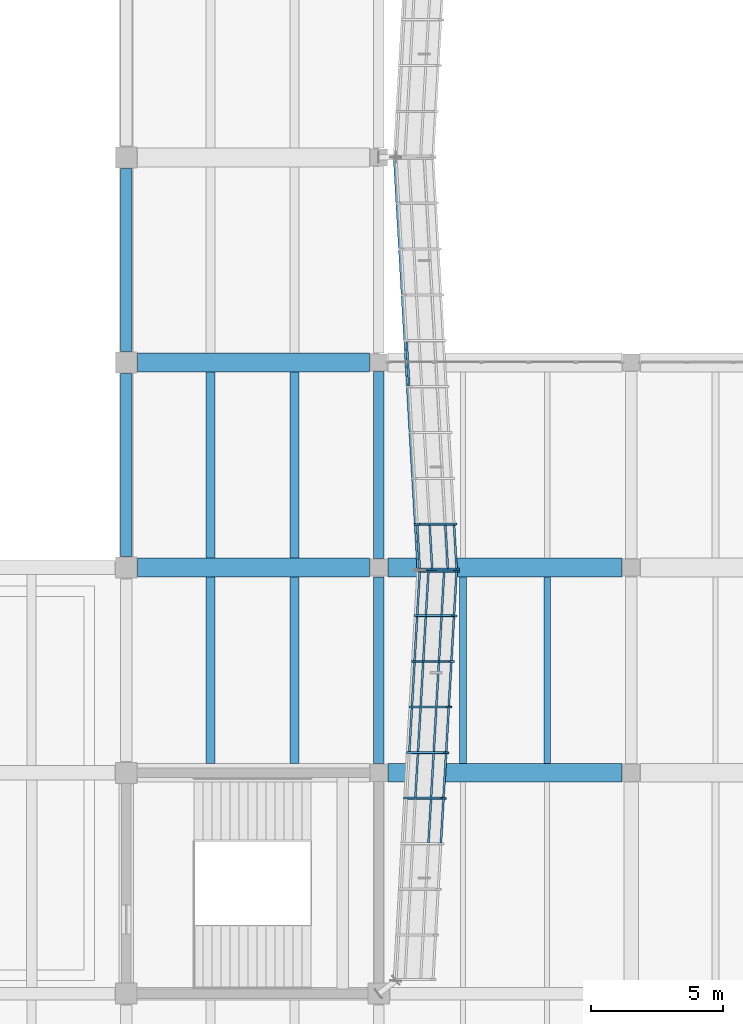
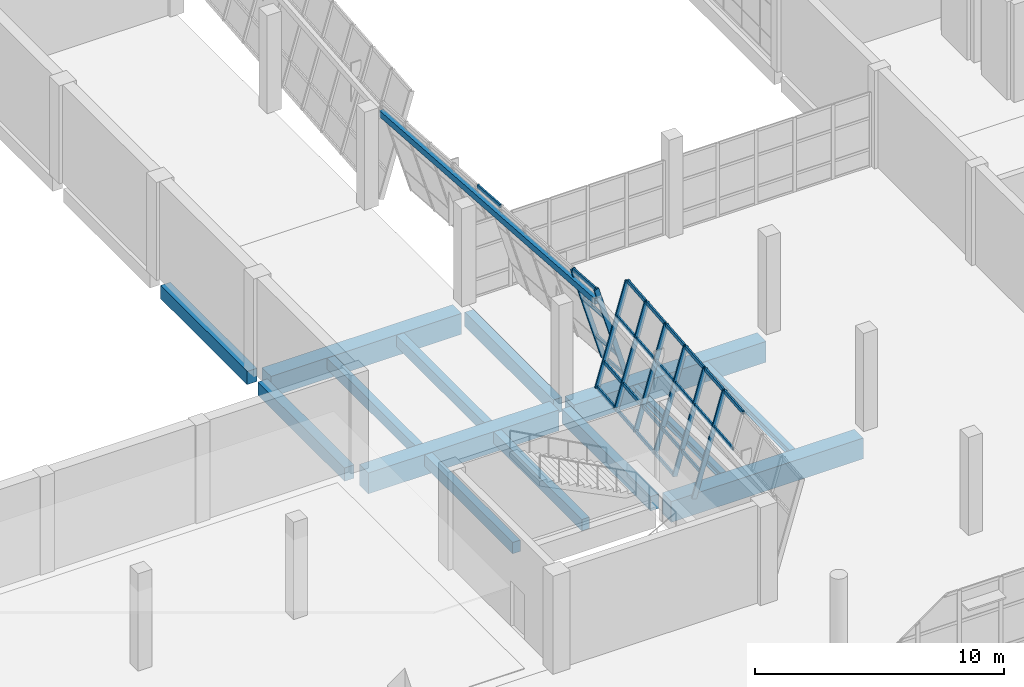
# One storey, part 21 of 79: 34 members, 15 beams, 2 elements without a shape of their own.
"""IFC4 building model written with IfcOpenShell, lengths in metres."""

from ifc_helpers import new_model, si_unit, direction, frame, origin, origin_2d, place, context, subcontext, project, spatial, rectangle, hollow_rectangle, i_section, extrude, material, material_profile, profile_set, type_object, element, aggregate, save


model = new_model("IFC4")

# Units and contexts
model_context = context("Model", 3, precision=1e-05, world=origin(), true_north=direction((0.0, 1.0)))
body_context = subcontext(model_context, "Body", "Model", "MODEL_VIEW")
ifc_project = project(units=[si_unit("LENGTHUNIT", "METRE"), si_unit("AREAUNIT", "SQUARE_METRE"), si_unit("VOLUMEUNIT", "CUBIC_METRE"), si_unit("PLANEANGLEUNIT", "RADIAN"), si_unit("MASSUNIT", "GRAM", prefix="KILO")], contexts=[model_context])

# Site, building, storey
site_placement = place(None, origin())
site = spatial("IfcSite", under=ifc_project, at=site_placement, CompositionType="ELEMENT")
building_placement = place(site_placement, origin())
building = spatial("IfcBuilding", under=site, at=building_placement, Name="Pellamere Symphony Hall", CompositionType="ELEMENT")
storey_placement = place(building_placement, frame((0.0, 0.0, 10.199951171875)))
storey = spatial("IfcBuildingStorey", under=building, at=storey_placement, Name="L02", CompositionType="ELEMENT", Elevation=10.199951171875)

# Curtain wall, members
ifc_material_1 = material(Name="Thermally Broken Anodised Aluminium 6063-T6 Curtain Wall", Category="aluminium")
curtain_wall_type = type_object("IfcCurtainWallType", Name="Curtain Wall CW-01 (Tilted Faceted Crystal Low-Iron Curtain Wall)", PredefinedType="NOTDEFINED", material=ifc_material_1)
curtain_wall_1_placement = place(storey_placement, origin())
curtain_wall_1 = element("IfcCurtainWall", 1, at=curtain_wall_1_placement, inside=storey, type_object=curtain_wall_type, Name="Crystal Faceted Curtain Wall CW-CR06 (L02)", PredefinedType="NOTDEFINED")
ifc_material_2 = material(Name="Anodised Architectural Aluminium 6063-T6", Category="aluminium")
ifc_material_profile_1 = material_profile(ifc_material_2, hollow_rectangle(XDim=0.074951171875, YDim=0.219970703125, WallThickness=0.0048828125, at=origin_2d()), Name="ALU-M75X220X5")
ifc_profile_set_1 = profile_set([ifc_material_profile_1], Name="Anodised Architectural Aluminium 6063-T6")
member_type_1 = type_object("IfcMemberType", Name="Curtain Wall Mullion ML-01 ALU-M75X220X5", PredefinedType="MULLION", material=ifc_profile_set_1)
member_1_placement = place(storey_placement, frame((119.85009765625, 37.433349609375, 0.0), z_axis=(0.283977077304, 0.0, 0.958831069358), x_axis=(-0.055225347331, -0.998339941676, 0.016356095697)))
member_1 = element("IfcMember", 2, at=member_1_placement, type_object=member_type_1, Name="CW1-006 crystal mullion 5", PredefinedType="MULLION", context=body_context, shape_type="SweptSolid", body=[
    extrude(hollow_rectangle(XDim=0.074951171875, YDim=0.219970703125, WallThickness=0.0048828125, at=origin_2d()), origin(), (0.0, 0.0, 1.0), 5.006103515625),
])
member_2_placement = place(storey_placement, frame((119.949951171875, 39.166748046875, 0.0), z_axis=(0.284021911736, 0.0, 0.9588177896), x_axis=(-0.055224582463, -0.998339941676, 0.016358678005)))
member_2 = element("IfcMember", 3, at=member_2_placement, type_object=member_type_1, Name="CW1-006 crystal mullion 6", PredefinedType="MULLION", context=body_context, shape_type="SweptSolid", body=[
    extrude(hollow_rectangle(XDim=0.074951171875, YDim=0.219970703125, WallThickness=0.0048828125, at=origin_2d()), origin(), (0.0, 0.0, 1.0), 5.006103515625),
])
member_3_placement = place(storey_placement, frame((120.050048828125, 40.89990234375, 0.0), z_axis=(0.283977077304, 0.0, 0.958831069358), x_axis=(-0.055225347331, -0.998339941676, 0.016356095697)))
member_3 = element("IfcMember", 4, at=member_3_placement, type_object=member_type_1, Name="CW1-006 crystal mullion 7", PredefinedType="MULLION", context=body_context, shape_type="SweptSolid", body=[
    extrude(hollow_rectangle(XDim=0.074951171875, YDim=0.219970703125, WallThickness=0.0048828125, at=origin_2d()), origin(), (0.0, 0.0, 1.0), 5.006103515625),
])
member_4_placement = place(storey_placement, frame((120.14990234375, 42.63330078125, 0.0), z_axis=(0.284021911736, 0.0, 0.9588177896), x_axis=(-0.055224582463, -0.998339941676, 0.016358678005)))
member_4 = element("IfcMember", 5, at=member_4_placement, type_object=member_type_1, Name="CW1-006 crystal mullion 8", PredefinedType="MULLION", context=body_context, shape_type="SweptSolid", body=[
    extrude(hollow_rectangle(XDim=0.074951171875, YDim=0.219970703125, WallThickness=0.0048828125, at=origin_2d()), origin(), (0.0, 0.0, 1.0), 5.006103515625),
])
member_5_placement = place(storey_placement, frame((120.25, 44.36669921875, 0.0), z_axis=(0.284021911736, 0.0, 0.9588177896), x_axis=(-0.055224582463, -0.998339941676, 0.016358678005)))
member_5 = element("IfcMember", 6, at=member_5_placement, type_object=member_type_1, Name="CW1-006 crystal mullion 9", PredefinedType="MULLION", context=body_context, shape_type="SweptSolid", body=[
    extrude(hollow_rectangle(XDim=0.074951171875, YDim=0.219970703125, WallThickness=0.0048828125, at=origin_2d()), origin(), (0.0, 0.0, 1.0), 5.006103515625),
])
member_6_placement = place(storey_placement, frame((120.347900390625, 46.0625, 0.0), z_axis=(0.283977077304, 0.0, 0.958831069358), x_axis=(-0.055225347331, -0.998339941676, 0.016356095697)))
member_6 = element("IfcMember", 7, at=member_6_placement, type_object=member_type_1, Name="CW1-006 crystal mullion 10", PredefinedType="MULLION", context=body_context, shape_type="SweptSolid", body=[
    extrude(hollow_rectangle(XDim=0.074951171875, YDim=0.219970703125, WallThickness=0.0048828125, at=origin_2d()), origin(), (0.0, 0.0, 1.0), 5.006103515625),
])

curtain_wall_2_placement = place(storey_placement, origin())
curtain_wall_2 = element("IfcCurtainWall", 8, at=curtain_wall_2_placement, inside=storey, type_object=curtain_wall_type, Name="Crystal Faceted Curtain Wall CW-CR07 (L02)", PredefinedType="NOTDEFINED")
member_7_placement = place(storey_placement, frame((121.769775390625, 46.137451171875, 0.0), z_axis=(-0.284021911736, 0.0, 0.9588177896), x_axis=(-0.054873989333, 0.99836096977, -0.016254824977)))
member_7 = element("IfcMember", 9, at=member_7_placement, type_object=member_type_1, Name="CW1-009 crystal mullion 1", PredefinedType="MULLION", context=body_context, shape_type="SweptSolid", body=[
    extrude(hollow_rectangle(XDim=0.074951171875, YDim=0.219970703125, WallThickness=0.0048828125, at=origin_2d()), origin(), (0.0, 0.0, 1.0), 5.006103515625),
])
member_8_placement = place(storey_placement, frame((121.671875, 47.844482421875, 0.0), z_axis=(-0.284021911736, 0.0, 0.9588177896), x_axis=(-0.054873989333, 0.99836096977, -0.016254824977)))
member_8 = element("IfcMember", 10, at=member_8_placement, type_object=member_type_1, Name="CW1-009 crystal mullion 2", PredefinedType="MULLION", context=body_context, shape_type="SweptSolid", body=[
    extrude(hollow_rectangle(XDim=0.074951171875, YDim=0.219970703125, WallThickness=0.0048828125, at=origin_2d()), origin(), (0.0, 0.0, 1.0), 5.006103515625),
])

# Member
ifc_material_profile_2 = material_profile(ifc_material_2, hollow_rectangle(XDim=0.074951171875, YDim=0.179931640625, WallThickness=0.0048828125, at=origin_2d()), Name="ALU-T75X180X5")
ifc_profile_set_2 = profile_set([ifc_material_profile_2], Name="Anodised Architectural Aluminium 6063-T6")
member_type_2 = type_object("IfcMemberType", Name="Curtain Wall Transom TR-01 ALU-T75X180X5", PredefinedType="USERDEFINED", material=ifc_profile_set_2)
member_9_placement = place(storey_placement, frame((120.6904296875, 35.737548828125, 3.16796875), z_axis=(0.057610619545, 0.998339129012, 0.0), x_axis=(-0.998339129012, 0.057610619545, 0.0)))
member_9 = element("IfcMember", 11, at=member_9_placement, type_object=member_type_2, Name="CW1-006 crystal transom 4.3", ObjectType="TRANSOM", PredefinedType="USERDEFINED", context=body_context, shape_type="SweptSolid", body=[
    extrude(hollow_rectangle(XDim=0.074951171875, YDim=0.179931640625, WallThickness=0.0048828125, at=origin_2d()), origin(), (0.0, 0.0, 1.0), 1.6611328125),
])

member_10_placement = place(storey_placement, frame((121.163330078125, 35.737548828125, 4.76416015625), z_axis=(0.057610619545, 0.998339129012, 0.0), x_axis=(-0.998339129012, 0.057610619545, 0.0)))
member_10 = element("IfcMember", 12, at=member_10_placement, type_object=member_type_2, Name="CW1-006 crystal transom 4.4", ObjectType="TRANSOM", PredefinedType="USERDEFINED", context=body_context, shape_type="SweptSolid", body=[
    extrude(hollow_rectangle(XDim=0.074951171875, YDim=0.179931640625, WallThickness=0.0048828125, at=origin_2d()), origin(), (0.0, 0.0, 1.0), 1.6611328125),
])

member_11_placement = place(storey_placement, frame((120.193359375, 37.470703125, 1.152099609375), z_axis=(0.057610619545, 0.998339129012, 0.0), x_axis=(-0.998339129012, 0.057610619545, 0.0)))
member_11 = element("IfcMember", 13, at=member_11_placement, type_object=member_type_2, Name="CW1-006 crystal transom 5.2", ObjectType="TRANSOM", PredefinedType="USERDEFINED", context=body_context, shape_type="SweptSolid", body=[
    extrude(hollow_rectangle(XDim=0.074951171875, YDim=0.179931640625, WallThickness=0.0048828125, at=origin_2d()), origin(), (0.0, 0.0, 1.0), 1.6611328125),
])

member_12_placement = place(storey_placement, frame((120.79052734375, 37.470703125, 3.16796875), z_axis=(0.057610619545, 0.998339129012, 0.0), x_axis=(-0.998339129012, 0.057610619545, 0.0)))
member_12 = element("IfcMember", 14, at=member_12_placement, type_object=member_type_2, Name="CW1-006 crystal transom 5.3", ObjectType="TRANSOM", PredefinedType="USERDEFINED", context=body_context, shape_type="SweptSolid", body=[
    extrude(hollow_rectangle(XDim=0.074951171875, YDim=0.179931640625, WallThickness=0.0048828125, at=origin_2d()), origin(), (0.0, 0.0, 1.0), 1.6611328125),
])

member_13_placement = place(storey_placement, frame((121.263427734375, 37.470703125, 4.76416015625), z_axis=(0.057464139598, 0.998347571069, 0.0), x_axis=(-0.998347571069, 0.057464139598, 0.0)))
member_13 = element("IfcMember", 15, at=member_13_placement, type_object=member_type_2, Name="CW1-006 crystal transom 5.4", ObjectType="TRANSOM", PredefinedType="USERDEFINED", context=body_context, shape_type="SweptSolid", body=[
    extrude(hollow_rectangle(XDim=0.074951171875, YDim=0.179931640625, WallThickness=0.0048828125, at=origin_2d()), origin(), (0.0, 0.0, 1.0), 1.6611328125),
])

member_14_placement = place(storey_placement, frame((119.962890625, 39.2041015625, 0.035888671875), z_axis=(0.057610619545, 0.998339129012, 0.0), x_axis=(-0.998339129012, 0.057610619545, 0.0)))
member_14 = element("IfcMember", 16, at=member_14_placement, type_object=member_type_2, Name="CW1-006 crystal transom 6.1", ObjectType="TRANSOM", PredefinedType="USERDEFINED", context=body_context, shape_type="SweptSolid", body=[
    extrude(hollow_rectangle(XDim=0.074951171875, YDim=0.179931640625, WallThickness=0.0048828125, at=origin_2d()), origin(), (0.0, 0.0, 1.0), 1.6611328125),
])

member_15_placement = place(storey_placement, frame((120.29345703125, 39.2041015625, 1.152099609375), z_axis=(0.057610619545, 0.998339129012, 0.0), x_axis=(-0.998339129012, 0.057610619545, 0.0)))
member_15 = element("IfcMember", 17, at=member_15_placement, type_object=member_type_2, Name="CW1-006 crystal transom 6.2", ObjectType="TRANSOM", PredefinedType="USERDEFINED", context=body_context, shape_type="SweptSolid", body=[
    extrude(hollow_rectangle(XDim=0.074951171875, YDim=0.179931640625, WallThickness=0.0048828125, at=origin_2d()), origin(), (0.0, 0.0, 1.0), 1.6611328125),
])

member_16_placement = place(storey_placement, frame((120.890625, 39.2041015625, 3.16796875), z_axis=(0.057610619545, 0.998339129012, 0.0), x_axis=(-0.998339129012, 0.057610619545, 0.0)))
member_16 = element("IfcMember", 18, at=member_16_placement, type_object=member_type_2, Name="CW1-006 crystal transom 6.3", ObjectType="TRANSOM", PredefinedType="USERDEFINED", context=body_context, shape_type="SweptSolid", body=[
    extrude(hollow_rectangle(XDim=0.074951171875, YDim=0.179931640625, WallThickness=0.0048828125, at=origin_2d()), origin(), (0.0, 0.0, 1.0), 1.6611328125),
])

member_17_placement = place(storey_placement, frame((121.36328125, 39.2041015625, 4.76416015625), z_axis=(0.057610619545, 0.998339129012, 0.0), x_axis=(-0.998339129012, 0.057610619545, 0.0)))
member_17 = element("IfcMember", 19, at=member_17_placement, type_object=member_type_2, Name="CW1-006 crystal transom 6.4", ObjectType="TRANSOM", PredefinedType="USERDEFINED", context=body_context, shape_type="SweptSolid", body=[
    extrude(hollow_rectangle(XDim=0.074951171875, YDim=0.179931640625, WallThickness=0.0048828125, at=origin_2d()), origin(), (0.0, 0.0, 1.0), 1.6611328125),
])

member_18_placement = place(storey_placement, frame((120.062744140625, 40.9375, 0.035888671875), z_axis=(0.057610619545, 0.998339129012, 0.0), x_axis=(-0.998339129012, 0.057610619545, 0.0)))
member_18 = element("IfcMember", 20, at=member_18_placement, type_object=member_type_2, Name="CW1-006 crystal transom 7.1", ObjectType="TRANSOM", PredefinedType="USERDEFINED", context=body_context, shape_type="SweptSolid", body=[
    extrude(hollow_rectangle(XDim=0.074951171875, YDim=0.179931640625, WallThickness=0.0048828125, at=origin_2d()), origin(), (0.0, 0.0, 1.0), 1.6611328125),
])

member_19_placement = place(storey_placement, frame((120.393310546875, 40.9375, 1.152099609375), z_axis=(0.057610619545, 0.998339129012, 0.0), x_axis=(-0.998339129012, 0.057610619545, 0.0)))
member_19 = element("IfcMember", 21, at=member_19_placement, type_object=member_type_2, Name="CW1-006 crystal transom 7.2", ObjectType="TRANSOM", PredefinedType="USERDEFINED", context=body_context, shape_type="SweptSolid", body=[
    extrude(hollow_rectangle(XDim=0.074951171875, YDim=0.179931640625, WallThickness=0.0048828125, at=origin_2d()), origin(), (0.0, 0.0, 1.0), 1.6611328125),
])

member_20_placement = place(storey_placement, frame((120.990478515625, 40.9375, 3.16796875), z_axis=(0.057610619545, 0.998339129012, 0.0), x_axis=(-0.998339129012, 0.057610619545, 0.0)))
member_20 = element("IfcMember", 22, at=member_20_placement, type_object=member_type_2, Name="CW1-006 crystal transom 7.3", ObjectType="TRANSOM", PredefinedType="USERDEFINED", context=body_context, shape_type="SweptSolid", body=[
    extrude(hollow_rectangle(XDim=0.074951171875, YDim=0.179931640625, WallThickness=0.0048828125, at=origin_2d()), origin(), (0.0, 0.0, 1.0), 1.6611328125),
])

member_21_placement = place(storey_placement, frame((121.46337890625, 40.9375, 4.76416015625), z_axis=(0.057610619545, 0.998339129012, 0.0), x_axis=(-0.998339129012, 0.057610619545, 0.0)))
member_21 = element("IfcMember", 23, at=member_21_placement, type_object=member_type_2, Name="CW1-006 crystal transom 7.4", ObjectType="TRANSOM", PredefinedType="USERDEFINED", context=body_context, shape_type="SweptSolid", body=[
    extrude(hollow_rectangle(XDim=0.074951171875, YDim=0.179931640625, WallThickness=0.0048828125, at=origin_2d()), origin(), (0.0, 0.0, 1.0), 1.6611328125),
])

member_22_placement = place(storey_placement, frame((120.162841796875, 42.670654296875, 0.035888671875), z_axis=(0.057602168051, 0.998339616682, 0.0), x_axis=(-0.998339616682, 0.057602168051, 0.0)))
member_22 = element("IfcMember", 24, at=member_22_placement, type_object=member_type_2, Name="CW1-006 crystal transom 8.1", ObjectType="TRANSOM", PredefinedType="USERDEFINED", context=body_context, shape_type="SweptSolid", body=[
    extrude(hollow_rectangle(XDim=0.074951171875, YDim=0.179931640625, WallThickness=0.0048828125, at=origin_2d()), origin(), (0.0, 0.0, 1.0), 1.661376953125),
])

member_23_placement = place(storey_placement, frame((120.493408203125, 42.670654296875, 1.152099609375), z_axis=(0.057602168051, 0.998339616682, 0.0), x_axis=(-0.998339616682, 0.057602168051, 0.0)))
member_23 = element("IfcMember", 25, at=member_23_placement, type_object=member_type_2, Name="CW1-006 crystal transom 8.2", ObjectType="TRANSOM", PredefinedType="USERDEFINED", context=body_context, shape_type="SweptSolid", body=[
    extrude(hollow_rectangle(XDim=0.074951171875, YDim=0.179931640625, WallThickness=0.0048828125, at=origin_2d()), origin(), (0.0, 0.0, 1.0), 1.661376953125),
])

member_24_placement = place(storey_placement, frame((121.090576171875, 42.670654296875, 3.16796875), z_axis=(0.057602168051, 0.998339616682, 0.0), x_axis=(-0.998339616682, 0.057602168051, 0.0)))
member_24 = element("IfcMember", 26, at=member_24_placement, type_object=member_type_2, Name="CW1-006 crystal transom 8.3", ObjectType="TRANSOM", PredefinedType="USERDEFINED", context=body_context, shape_type="SweptSolid", body=[
    extrude(hollow_rectangle(XDim=0.074951171875, YDim=0.179931640625, WallThickness=0.0048828125, at=origin_2d()), origin(), (0.0, 0.0, 1.0), 1.661376953125),
])

member_25_placement = place(storey_placement, frame((121.563232421875, 42.670654296875, 4.76416015625), z_axis=(0.057602168051, 0.998339616682, 0.0), x_axis=(-0.998339616682, 0.057602168051, 0.0)))
member_25 = element("IfcMember", 27, at=member_25_placement, type_object=member_type_2, Name="CW1-006 crystal transom 8.4", ObjectType="TRANSOM", PredefinedType="USERDEFINED", context=body_context, shape_type="SweptSolid", body=[
    extrude(hollow_rectangle(XDim=0.074951171875, YDim=0.179931640625, WallThickness=0.0048828125, at=origin_2d()), origin(), (0.0, 0.0, 1.0), 1.661376953125),
])

member_26_placement = place(storey_placement, frame((120.2626953125, 44.404052734375, 0.035888671875), z_axis=(0.057734859862, 0.998331951786, 0.0), x_axis=(-0.998331951786, 0.057734859862, 0.0)))
member_26 = element("IfcMember", 28, at=member_26_placement, type_object=member_type_2, Name="CW1-006 crystal transom 9.1", ObjectType="TRANSOM", PredefinedType="USERDEFINED", context=body_context, shape_type="SweptSolid", body=[
    extrude(hollow_rectangle(XDim=0.074951171875, YDim=0.179931640625, WallThickness=0.0048828125, at=origin_2d()), origin(), (0.0, 0.0, 1.0), 1.623779296875),
])

member_27_placement = place(storey_placement, frame((120.593505859375, 44.404052734375, 1.152099609375), z_axis=(0.057585007883, 0.99834060664, 0.0), x_axis=(-0.99834060664, 0.057585007883, 0.0)))
member_27 = element("IfcMember", 29, at=member_27_placement, type_object=member_type_2, Name="CW1-006 crystal transom 9.2", ObjectType="TRANSOM", PredefinedType="USERDEFINED", context=body_context, shape_type="SweptSolid", body=[
    extrude(hollow_rectangle(XDim=0.074951171875, YDim=0.179931640625, WallThickness=0.0048828125, at=origin_2d()), origin(), (0.0, 0.0, 1.0), 1.623779296875),
])

member_28_placement = place(storey_placement, frame((121.1904296875, 44.404052734375, 3.16796875), z_axis=(0.057734859862, 0.998331951786, 0.0), x_axis=(-0.998331951786, 0.057734859862, 0.0)))
member_28 = element("IfcMember", 30, at=member_28_placement, type_object=member_type_2, Name="CW1-006 crystal transom 9.3", ObjectType="TRANSOM", PredefinedType="USERDEFINED", context=body_context, shape_type="SweptSolid", body=[
    extrude(hollow_rectangle(XDim=0.074951171875, YDim=0.179931640625, WallThickness=0.0048828125, at=origin_2d()), origin(), (0.0, 0.0, 1.0), 1.623779296875),
])

member_29_placement = place(storey_placement, frame((121.663330078125, 44.404052734375, 4.76416015625), z_axis=(0.057585007883, 0.99834060664, 0.0), x_axis=(-0.99834060664, 0.057585007883, 0.0)))
member_29 = element("IfcMember", 31, at=member_29_placement, type_object=member_type_2, Name="CW1-006 crystal transom 9.4", ObjectType="TRANSOM", PredefinedType="USERDEFINED", context=body_context, shape_type="SweptSolid", body=[
    extrude(hollow_rectangle(XDim=0.074951171875, YDim=0.179931640625, WallThickness=0.0048828125, at=origin_2d()), origin(), (0.0, 0.0, 1.0), 1.623779296875),
])

aggregate(curtain_wall_1, [member_1, member_2, member_3, member_4, member_5, member_6, member_9, member_10, member_11, member_12, member_13, member_14, member_15, member_16, member_17, member_18, member_19, member_20, member_21, member_22, member_23, member_24, member_25, member_26, member_27, member_28, member_29])

member_30_placement = place(storey_placement, frame((121.7568359375, 46.1748046875, 0.035888671875), z_axis=(-0.057198647566, 0.998362817175, 0.0), x_axis=(-0.998362817175, -0.057198647566, 0.0)))
member_30 = element("IfcMember", 32, at=member_30_placement, type_object=member_type_2, Name="CW1-009 crystal transom 1.1", ObjectType="TRANSOM", PredefinedType="USERDEFINED", context=body_context, shape_type="SweptSolid", body=[
    extrude(hollow_rectangle(XDim=0.074951171875, YDim=0.179931640625, WallThickness=0.0048828125, at=origin_2d()), origin(), (0.0, 0.0, 1.0), 1.634765625),
])

member_31_placement = place(storey_placement, frame((121.42626953125, 46.1748046875, 1.152099609375), z_axis=(-0.057198647566, 0.998362817175, 0.0), x_axis=(-0.998362817175, -0.057198647566, 0.0)))
member_31 = element("IfcMember", 33, at=member_31_placement, type_object=member_type_2, Name="CW1-009 crystal transom 1.2", ObjectType="TRANSOM", PredefinedType="USERDEFINED", context=body_context, shape_type="SweptSolid", body=[
    extrude(hollow_rectangle(XDim=0.074951171875, YDim=0.179931640625, WallThickness=0.0048828125, at=origin_2d()), origin(), (0.0, 0.0, 1.0), 1.634765625),
])

member_32_placement = place(storey_placement, frame((120.8291015625, 46.1748046875, 3.16796875), z_axis=(-0.057198647566, 0.998362817175, 0.0), x_axis=(-0.998362817175, -0.057198647566, 0.0)))
member_32 = element("IfcMember", 34, at=member_32_placement, type_object=member_type_2, Name="CW1-009 crystal transom 1.3", ObjectType="TRANSOM", PredefinedType="USERDEFINED", context=body_context, shape_type="SweptSolid", body=[
    extrude(hollow_rectangle(XDim=0.074951171875, YDim=0.179931640625, WallThickness=0.0048828125, at=origin_2d()), origin(), (0.0, 0.0, 1.0), 1.634765625),
])

member_33_placement = place(storey_placement, frame((120.3564453125, 46.1748046875, 4.76416015625), z_axis=(-0.057347500779, 0.998354277877, 0.0), x_axis=(-0.998354277877, -0.057347500779, 0.0)))
member_33 = element("IfcMember", 35, at=member_33_placement, type_object=member_type_2, Name="CW1-009 crystal transom 1.4", ObjectType="TRANSOM", PredefinedType="USERDEFINED", context=body_context, shape_type="SweptSolid", body=[
    extrude(hollow_rectangle(XDim=0.074951171875, YDim=0.179931640625, WallThickness=0.0048828125, at=origin_2d()), origin(), (0.0, 0.0, 1.0), 1.634765625),
])

member_34_placement = place(storey_placement, frame((119.95849609375, 53.115234375, 4.76416015625), z_axis=(-0.057232737422, 0.998360863499, 0.0), x_axis=(-0.998360863499, -0.057232737422, 0.0)))
member_34 = element("IfcMember", 36, at=member_34_placement, type_object=member_type_2, Name="CW1-009 crystal transom 5.4", ObjectType="TRANSOM", PredefinedType="USERDEFINED", context=body_context, shape_type="SweptSolid", body=[
    extrude(hollow_rectangle(XDim=0.074951171875, YDim=0.179931640625, WallThickness=0.0048828125, at=origin_2d()), origin(), (0.0, 0.0, 1.0), 1.672119140625),
])

aggregate(curtain_wall_2, [member_7, member_8, member_30, member_31, member_32, member_33, member_34])

# Beams
ifc_material_3 = material(Name="Concrete 40 MPa", Category="concrete")
ifc_material_profile_3 = material_profile(ifc_material_3, rectangle(XDim=0.449951171875, YDim=0.64990234375, at=origin_2d()), Name="RC 450x650")
ifc_profile_set_3 = profile_set([ifc_material_profile_3], Name="Concrete 40 MPa")
beam_type_1 = type_object("IfcBeamType", Name="RC CB-08 450x650", PredefinedType="BEAM", material=ifc_profile_set_3)
for number, where, z_axis, x_axis, name in (
    (37, (109.199951171875, 46.625, -0.60498046875), (0.0, 1.0, 0.0), (-1.0, 0.0, 0.0), "Girder CB-08-Y1317 (L02)"),
    (38, (109.199951171875, 54.425048828125, -0.60498046875), (0.0, 1.0, 0.0), (-1.0, 0.0, 0.0), "Girder CB-08-Y1318 (L02)"),
):
    element("IfcBeam", number, at=place(storey_placement, frame(where, z_axis=z_axis, x_axis=x_axis)), inside=storey, type_object=beam_type_1, Name=name, PredefinedType="BEAM", context=body_context, shape_type="SweptSolid", body=[
        extrude(rectangle(XDim=0.449951171875, YDim=0.64990234375, at=origin_2d()), origin(), (0.0, 0.0, 1.0), 6.949951171875),
    ])
ifc_material_4 = material(Name="Concrete 35 MPa", Category="concrete")
ifc_material_profile_4 = material_profile(ifc_material_4, rectangle(XDim=0.35009765625, YDim=0.550048828125, at=origin_2d()), Name="RC 350x550")
ifc_profile_set_4 = profile_set([ifc_material_profile_4], Name="Concrete 35 MPa")
beam_type_2 = type_object("IfcBeamType", Name="RC CB-10 350x550", PredefinedType="BEAM", material=ifc_profile_set_4)
for number, where, z_axis, x_axis, name in (
    (39, (112.39990234375, 38.760009765625, -0.570068359375), (0.0, 1.0, 0.0), (-1.0, 0.0, 0.0), "Secondary Floor Beam CB-10-A1405 (L02)"),
    (40, (115.60009765625, 38.760009765625, -0.570068359375), (0.0, 1.0, 0.0), (-1.0, 0.0, 0.0), "Secondary Floor Beam CB-10-B1405 (L02)"),
):
    element("IfcBeam", number, at=place(storey_placement, frame(where, z_axis=z_axis, x_axis=x_axis)), inside=storey, type_object=beam_type_2, Name=name, PredefinedType="BEAM", context=body_context, shape_type="SweptSolid", body=[
        extrude(rectangle(XDim=0.35009765625, YDim=0.550048828125, at=origin_2d()), origin(), (0.0, 0.0, 1.0), 7.080078125),
    ])
for number, where, z_axis, x_axis, name in (
    (41, (112.39990234375, 46.56005859375, -0.570068359375), (0.0, 1.0, 0.0), (-1.0, 0.0, 0.0), "Secondary Floor Beam CB-10-A1406 (L02)"),
    (42, (115.60009765625, 46.56005859375, -0.570068359375), (0.0, 1.0, 0.0), (-1.0, 0.0, 0.0), "Secondary Floor Beam CB-10-B1406 (L02)"),
):
    element("IfcBeam", number, at=place(storey_placement, frame(where, z_axis=z_axis, x_axis=x_axis)), inside=storey, type_object=beam_type_2, Name=name, PredefinedType="BEAM", context=body_context, shape_type="SweptSolid", body=[
        extrude(rectangle(XDim=0.35009765625, YDim=0.550048828125, at=origin_2d()), origin(), (0.0, 0.0, 1.0), 7.079833984375),
    ])
ifc_material_profile_5 = material_profile(ifc_material_3, rectangle(XDim=0.39990234375, YDim=0.699951171875, at=origin_2d()), Name="RC 400x700")
ifc_profile_set_5 = profile_set([ifc_material_profile_5], Name="Concrete 40 MPa")
beam_type_3 = type_object("IfcBeamType", Name="RC CB-13 400x700", PredefinedType="SPANDREL", material=ifc_profile_set_5)
beam_1_placement = place(storey_placement, frame((118.800048828125, 38.75, -0.6298828125), z_axis=(0.0, 1.0, 0.0), x_axis=(-1.0, 0.0, 0.0)))
element("IfcBeam", 43, at=beam_1_placement, inside=storey, type_object=beam_type_3, Name="Girder CB-13-Y1329 (L02)", PredefinedType="SPANDREL", context=body_context, shape_type="SweptSolid", body=[
    extrude(rectangle(XDim=0.39990234375, YDim=0.699951171875, at=origin_2d()), origin(), (0.0, 0.0, 1.0), 7.10009765625),
])
beam_2_placement = place(storey_placement, frame((118.800048828125, 46.550048828125, -0.6298828125), z_axis=(0.0, 1.0, 0.0), x_axis=(-1.0, 0.0, 0.0)))
element("IfcBeam", 44, at=beam_2_placement, inside=storey, type_object=beam_type_3, Name="Girder CB-13-Y1330 (L02)", PredefinedType="SPANDREL", context=body_context, shape_type="SweptSolid", body=[
    extrude(rectangle(XDim=0.39990234375, YDim=0.699951171875, at=origin_2d()), origin(), (0.0, 0.0, 1.0), 7.099853515625),
])
ifc_material_profile_6 = material_profile(ifc_material_3, rectangle(XDim=0.719970703125, YDim=1.02001953125, at=origin_2d()), Name="RC 720x1020")
ifc_profile_set_6 = profile_set([ifc_material_profile_6], Name="Concrete 40 MPa")
beam_type_4 = type_object("IfcBeamType", Name="RC CB-23 720x1020", PredefinedType="BEAM", material=ifc_profile_set_6)
beam_3_placement = place(storey_placement, frame((119.14990234375, 38.39990234375, -0.7900390625), z_axis=(1.0, 0.0, 0.0), x_axis=(0.0, 1.0, 0.0)))
element("IfcBeam", 45, at=beam_3_placement, inside=storey, type_object=beam_type_4, Name="Girder CB-23-X1103 (L02)", PredefinedType="BEAM", context=body_context, shape_type="SweptSolid", body=[
    extrude(rectangle(XDim=0.719970703125, YDim=1.02001953125, at=origin_2d()), origin(), (0.0, 0.0, 1.0), 8.900146484375),
])
beam_4_placement = place(storey_placement, frame((109.625, 46.199951171875, -0.7900390625), z_axis=(1.0, 0.0, 0.0), x_axis=(0.0, 1.0, 0.0)))
element("IfcBeam", 46, at=beam_4_placement, inside=storey, type_object=beam_type_4, Name="Girder CB-23-X1122 (L02)", PredefinedType="BEAM", context=body_context, shape_type="SweptSolid", body=[
    extrude(rectangle(XDim=0.719970703125, YDim=1.02001953125, at=origin_2d()), origin(), (0.0, 0.0, 1.0), 8.824951171875),
])
beam_5_placement = place(storey_placement, frame((119.14990234375, 46.199951171875, -0.7900390625), z_axis=(1.0, 0.0, 0.0), x_axis=(0.0, 1.0, 0.0)))
element("IfcBeam", 47, at=beam_5_placement, inside=storey, type_object=beam_type_4, Name="Girder CB-23-X1123 (L02)", PredefinedType="BEAM", context=body_context, shape_type="SweptSolid", body=[
    extrude(rectangle(XDim=0.719970703125, YDim=1.02001953125, at=origin_2d()), origin(), (0.0, 0.0, 1.0), 8.900146484375),
])
beam_6_placement = place(storey_placement, frame((109.625, 54.0, -0.7900390625), z_axis=(1.0, 0.0, 0.0), x_axis=(0.0, 1.0, 0.0)))
element("IfcBeam", 48, at=beam_6_placement, inside=storey, type_object=beam_type_4, Name="Girder CB-23-X1135 (L02)", PredefinedType="BEAM", context=body_context, shape_type="SweptSolid", body=[
    extrude(rectangle(XDim=0.719970703125, YDim=1.02001953125, at=origin_2d()), origin(), (0.0, 0.0, 1.0), 8.824951171875),
])
ifc_material_5 = material(Name="Steel CSA G40.21 350W", Category="steel")
ifc_material_profile_7 = material_profile(ifc_material_5, i_section(OverallWidth=0.25390625, OverallDepth=0.35302734375, WebThickness=0.009521484375, FlangeThickness=0.016357421875, at=origin_2d()), Name="W360X91")
ifc_profile_set_7 = profile_set([ifc_material_profile_7], Name="Steel CSA G40.21 350W")
beam_type_5 = type_object("IfcBeamType", Name="Steel Joist SB-20 W360X91", PredefinedType="JOIST", material=ifc_profile_set_7)
for number, where, z_axis, x_axis, name in (
    (49, (122.0, 38.760009765625, -0.471435546875), (0.0, 1.0, 0.0), (-1.0, 0.0, 0.0), "Secondary Floor Beam SB-20-A1505 (L02)"),
    (50, (125.199951171875, 38.760009765625, -0.471435546875), (0.0, 1.0, 0.0), (-1.0, 0.0, 0.0), "Secondary Floor Beam SB-20-B1505 (L02)"),
):
    element("IfcBeam", number, at=place(storey_placement, frame(where, z_axis=z_axis, x_axis=x_axis)), inside=storey, type_object=beam_type_5, Name=name, PredefinedType="JOIST", context=body_context, shape_type="SweptSolid", body=[
        extrude(i_section(OverallWidth=0.25390625, OverallDepth=0.35302734375, WebThickness=0.009521484375, FlangeThickness=0.016357421875, at=origin_2d()), origin(), (0.0, 0.0, 1.0), 7.080078125),
    ])
ifc_material_profile_8 = material_profile(ifc_material_5, hollow_rectangle(XDim=0.203125, YDim=0.3046875, WallThickness=0.0126953125, at=origin_2d()), Name="HSS305X203X13")
ifc_profile_set_8 = profile_set([ifc_material_profile_8], Name="Steel CSA G40.21 350W")
beam_type_6 = type_object("IfcBeamType", Name="Steel Spandrel SB-26 HSS305X203X13", PredefinedType="SPANDREL", material=ifc_profile_set_8)
beam_7_placement = place(storey_placement, frame((120.35009765625, 46.10009765625, 4.239990234375), z_axis=(-0.057240345461, 0.998360427326, 0.0), x_axis=(-0.998360427326, -0.057240345461, 0.0)))
element("IfcBeam", 51, at=beam_7_placement, inside=storey, type_object=beam_type_6, Name="Crystal Perimeter Ring Beam CW-CR07 (L02)", PredefinedType="SPANDREL", context=body_context, shape_type="SweptSolid", body=[
    extrude(hollow_rectangle(XDim=0.203125, YDim=0.3046875, WallThickness=0.0126953125, at=origin_2d()), origin(), (0.0, 0.0, 1.0), 15.725830078125),
])

save(model, "model.ifc")
